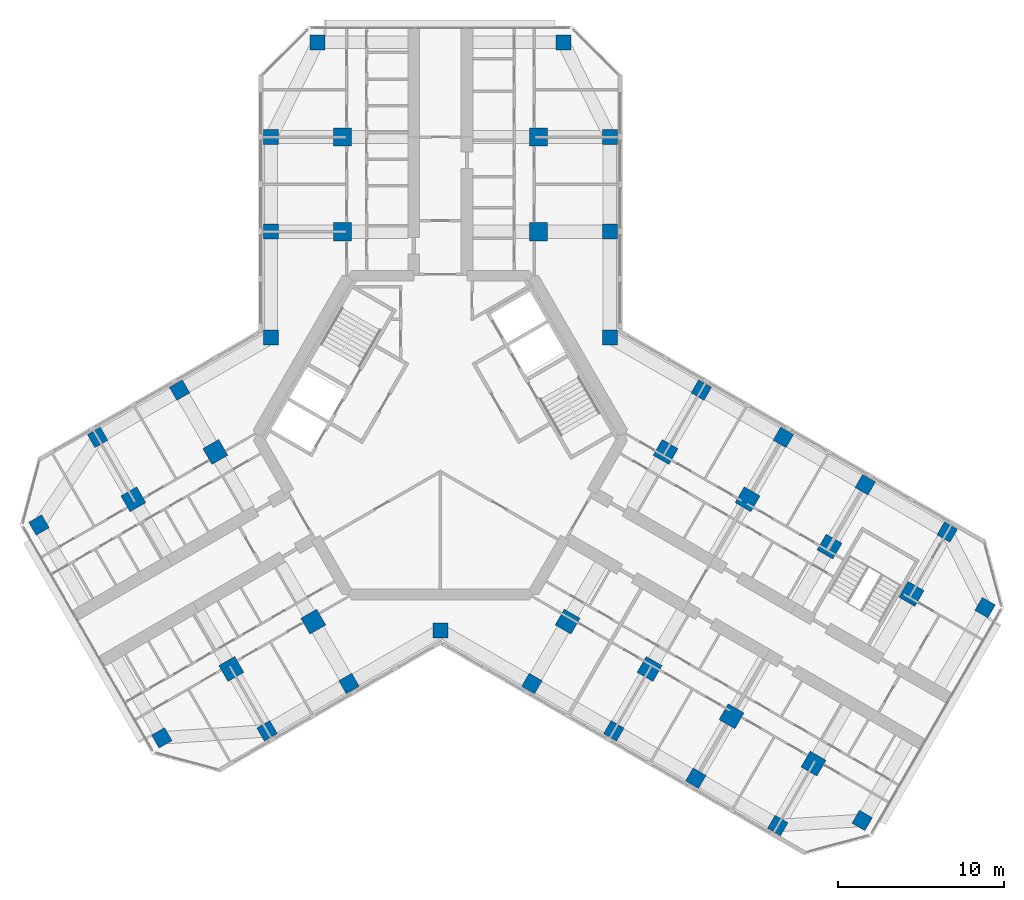
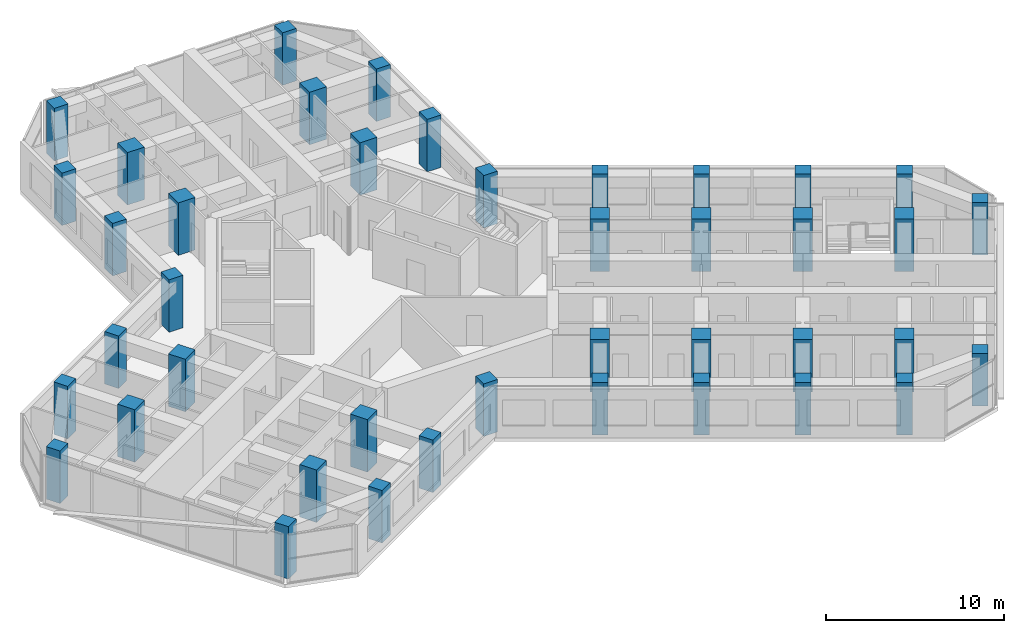
# One storey, part 1 of 16: 41 columns.
"""IFC4 building model written with IfcOpenShell, lengths in metres."""

from ifc_helpers import new_model, si_unit, direction, frame, origin, origin_2d, place, context, subcontext, project, spatial, rectangle, extrude, material, material_profile, profile_set, type_object, element, save


model = new_model("IFC4")

# Units and contexts
model_context = context("Model", 3, precision=1e-05, world=origin(), true_north=direction((0.0, 1.0)))
body_context = subcontext(model_context, "Body", "Model", "MODEL_VIEW")
ifc_project = project(units=[si_unit("LENGTHUNIT", "METRE"), si_unit("AREAUNIT", "SQUARE_METRE"), si_unit("VOLUMEUNIT", "CUBIC_METRE"), si_unit("PLANEANGLEUNIT", "RADIAN"), si_unit("MASSUNIT", "GRAM", prefix="KILO")], contexts=[model_context])

# Site, building, storey
site_placement = place(None, origin())
site = spatial("IfcSite", under=ifc_project, at=site_placement, CompositionType="ELEMENT")
building_placement = place(site_placement, origin())
building = spatial("IfcBuilding", under=site, at=building_placement, Name="Kosmar Iwan School Tower", CompositionType="ELEMENT")
storey_placement = place(building_placement, frame((0.0, 0.0, 222.60009765625)))
storey = spatial("IfcBuildingStorey", under=building, at=storey_placement, Name="L56", CompositionType="ELEMENT", Elevation=222.60009765625)

# Columns
ifc_material_1 = material(Name="Concrete C50/60", Category="concrete")
ifc_material_profile_1 = material_profile(ifc_material_1, rectangle(XDim=0.89990234375, YDim=0.89990234375, at=origin_2d()), Name="RC 900x900 + HD 400x347")
ifc_profile_set_1 = profile_set([ifc_material_profile_1], Name="Concrete C50/60")
column_type_1 = type_object("IfcColumnType", Name="Composite column 900x900 HD 400x347", PredefinedType="COLUMN", material=ifc_profile_set_1)
for number, where, z_axis, x_axis, name in (
    (1, (-10.199951171875, 12.25, 0.0), (0.0, 0.0, 1.0), (0.0, 1.0, 0.0), "Column AL1 L56"),
    (2, (-10.199951171875, 17.949951171875, 0.0), (0.0, 0.0, 1.0), (0.0, 1.0, 0.0), "Column AL2 L56"),
    (3, (-7.39990234375, 23.64990234375, 0.0), (0.0, 0.0, 1.0), (0.0, 1.0, 0.0), "Column ALTIP L56"),
    (4, (10.199951171875, 12.25, 0.0), (0.0, 0.0, 1.0), (0.0, 1.0, 0.0), "Column AR1 L56"),
    (5, (10.199951171875, 17.949951171875, 0.0), (0.0, 0.0, 1.0), (0.0, 1.0, 0.0), "Column AR2 L56"),
    (6, (7.39990234375, 23.64990234375, 0.0), (0.0, 0.0, 1.0), (0.0, 1.0, 0.0), "Column ARTIP L56"),
    (7, (-5.5087890625, -14.95849609375, 0.0), (0.0, 0.0, 1.0), (-0.866025403784, -0.5, 0.0), "Column BL1 L56"),
    (8, (-10.445068359375, -17.808349609375, 0.0), (0.0, 0.0, 1.0), (-0.866025403784, -0.5, 0.0), "Column BL2 L56"),
    (9, (-16.781494140625, -18.233642578125, 0.0), (0.0, 0.0, 1.0), (-0.866025403784, -0.5, 0.0), "Column BLTIP L56"),
    (10, (-15.708740234375, 2.70849609375, 0.0), (0.0, 0.0, 1.0), (-0.866025403784, -0.5, 0.0), "Column BR1 L56"),
    (11, (-20.645263671875, -0.1416015625, 0.0), (0.0, 0.0, 1.0), (-0.866025403784, -0.5, 0.0), "Column BR2 L56"),
    (12, (-24.181396484375, -5.41650390625, 0.0), (0.0, 0.0, 1.0), (-0.866025403784, -0.5, 0.0), "Column BRTIP L56"),
    (13, (15.708740234375, 2.70849609375, 0.0), (0.0, 0.0, 1.0), (0.866025403784, -0.5, 0.0), "Column CL1 L56"),
    (14, (20.645263671875, -0.1416015625, 0.0), (0.0, 0.0, 1.0), (0.866025403784, -0.5, 0.0), "Column CL2 L56"),
    (15, (25.58154296875, -2.991455078125, 0.0), (0.0, 0.0, 1.0), (0.866025403784, -0.5, 0.0), "Column CL3 L56"),
    (16, (30.517822265625, -5.841552734375, 0.0), (0.0, 0.0, 1.0), (0.866025403784, -0.5, 0.0), "Column CL4 L56"),
    (17, (32.79833984375, -10.391357421875, 0.0), (0.0, 0.0, 1.0), (0.866025403784, -0.5, 0.0), "Column CLTIP L56"),
    (18, (5.5087890625, -14.95849609375, 0.0), (0.0, 0.0, 1.0), (0.866025403784, -0.5, 0.0), "Column CR1 L56"),
    (19, (10.445068359375, -17.808349609375, 0.0), (0.0, 0.0, 1.0), (0.866025403784, -0.5, 0.0), "Column CR2 L56"),
    (20, (15.381591796875, -20.658447265625, 0.0), (0.0, 0.0, 1.0), (0.866025403784, -0.5, 0.0), "Column CR3 L56"),
    (21, (20.31787109375, -23.508544921875, 0.0), (0.0, 0.0, 1.0), (0.866025403784, -0.5, 0.0), "Column CR4 L56"),
    (22, (25.3984375, -23.20849609375, 0.0), (0.0, 0.0, 1.0), (0.866025403784, -0.5, 0.0), "Column CRTIP L56"),
    (23, (-10.199951171875, 5.888916015625, 0.0), (0.0, 0.0, 1.0), (1.0, 0.0, 0.0), "Column RAB L56"),
    (24, (10.199951171875, 5.888916015625, 0.0), (0.0, 0.0, 1.0), (1.0, 0.0, 0.0), "Column RAC L56"),
    (25, (0.0, -11.77783203125, 0.0), (0.0, 0.0, 1.0), (1.0, 0.0, 0.0), "Column RBC L56"),
):
    element("IfcColumn", number, at=place(storey_placement, frame(where, z_axis=z_axis, x_axis=x_axis)), inside=storey, type_object=column_type_1, Name=name, PredefinedType="COLUMN", context=body_context, shape_type="SweptSolid", body=[
        extrude(rectangle(XDim=0.89990234375, YDim=0.89990234375, at=origin_2d()), origin(), (0.0, 0.0, 1.0), 3.599853515625),
    ])
ifc_material_2 = material(Name="Concrete C50/60", Category="concrete")
ifc_material_profile_2 = material_profile(ifc_material_2, rectangle(XDim=1.10009765625, YDim=1.10009765625, at=origin_2d()), Name="RC 1100x1100")
ifc_profile_set_2 = profile_set([ifc_material_profile_2], Name="Concrete C50/60")
column_type_2 = type_object("IfcColumnType", Name="RC interior column 1100x1100", PredefinedType="COLUMN", material=ifc_profile_set_2)
for number, where, z_axis, x_axis, name in (
    (26, (-5.89990234375, 12.25, 0.0), (0.0, 0.0, 1.0), (0.0, 1.0, 0.0), "Interior column ALI1 L56"),
    (27, (-5.89990234375, 17.949951171875, 0.0), (0.0, 0.0, 1.0), (0.0, 1.0, 0.0), "Interior column ALI2 L56"),
    (28, (5.89990234375, 12.25, 0.0), (0.0, 0.0, 1.0), (0.0, 1.0, 0.0), "Interior column ARI1 L56"),
    (29, (5.89990234375, 17.949951171875, 0.0), (0.0, 0.0, 1.0), (0.0, 1.0, 0.0), "Interior column ARI2 L56"),
    (30, (-7.65869140625, -11.234619140625, 0.0), (0.0, 0.0, 1.0), (-0.866025403784, -0.5, 0.0), "Interior column BLI1 L56"),
    (31, (-12.59521484375, -14.08447265625, 0.0), (0.0, 0.0, 1.0), (-0.866025403784, -0.5, 0.0), "Interior column BLI2 L56"),
    (32, (-13.558837890625, -1.015380859375, 0.0), (0.0, 0.0, 1.0), (-0.866025403784, -0.5, 0.0), "Interior column BRI1 L56"),
    (33, (-18.4951171875, -3.865478515625, 0.0), (0.0, 0.0, 1.0), (-0.866025403784, -0.5, 0.0), "Interior column BRI2 L56"),
    (34, (13.558837890625, -1.015380859375, 0.0), (0.0, 0.0, 1.0), (0.866025403784, -0.5, 0.0), "Interior column CLI1 L56"),
    (35, (18.4951171875, -3.865478515625, 0.0), (0.0, 0.0, 1.0), (0.866025403784, -0.5, 0.0), "Interior column CLI2 L56"),
    (36, (23.431396484375, -6.71533203125, 0.0), (0.0, 0.0, 1.0), (0.866025403784, -0.5, 0.0), "Interior column CLI3 L56"),
    (37, (28.367919921875, -9.5654296875, 0.0), (0.0, 0.0, 1.0), (0.866025403784, -0.5, 0.0), "Interior column CLI4 L56"),
    (38, (7.65869140625, -11.234619140625, 0.0), (0.0, 0.0, 1.0), (0.866025403784, -0.5, 0.0), "Interior column CRI1 L56"),
    (39, (12.59521484375, -14.08447265625, 0.0), (0.0, 0.0, 1.0), (0.866025403784, -0.5, 0.0), "Interior column CRI2 L56"),
    (40, (17.531494140625, -16.9345703125, 0.0), (0.0, 0.0, 1.0), (0.866025403784, -0.5, 0.0), "Interior column CRI3 L56"),
    (41, (22.4677734375, -19.78466796875, 0.0), (0.0, 0.0, 1.0), (0.866025403784, -0.5, 0.0), "Interior column CRI4 L56"),
):
    element("IfcColumn", number, at=place(storey_placement, frame(where, z_axis=z_axis, x_axis=x_axis)), inside=storey, type_object=column_type_2, Name=name, PredefinedType="COLUMN", context=body_context, shape_type="SweptSolid", body=[
        extrude(rectangle(XDim=1.10009765625, YDim=1.10009765625, at=origin_2d()), origin(), (0.0, 0.0, 1.0), 3.599853515625),
    ])

save(model, "model.ifc")
